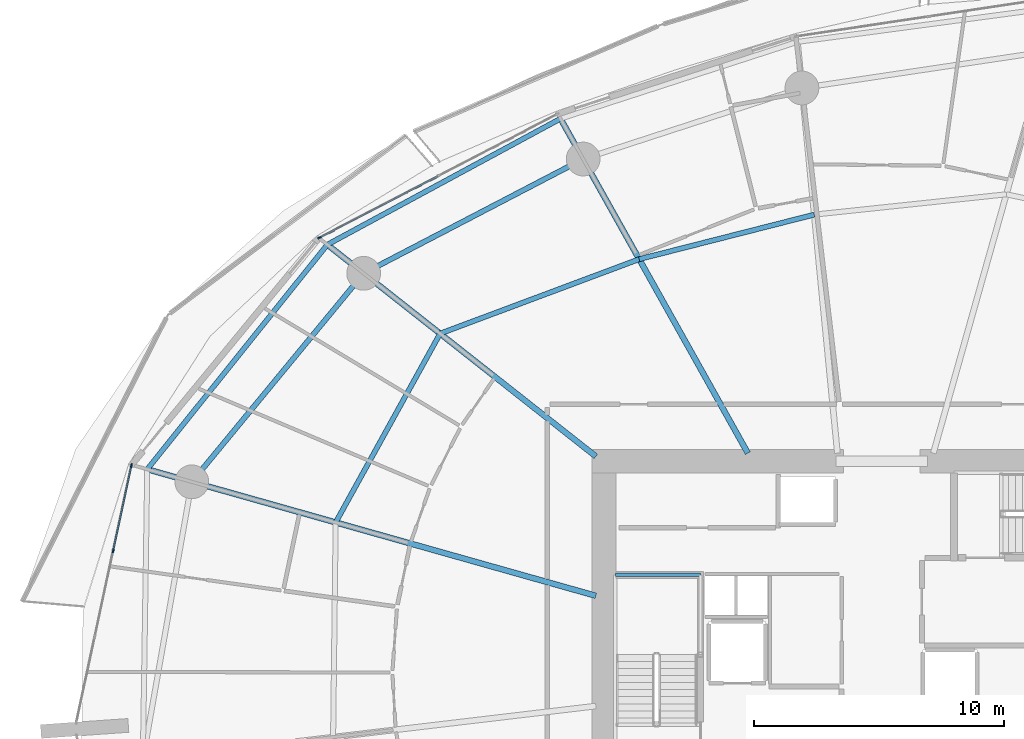
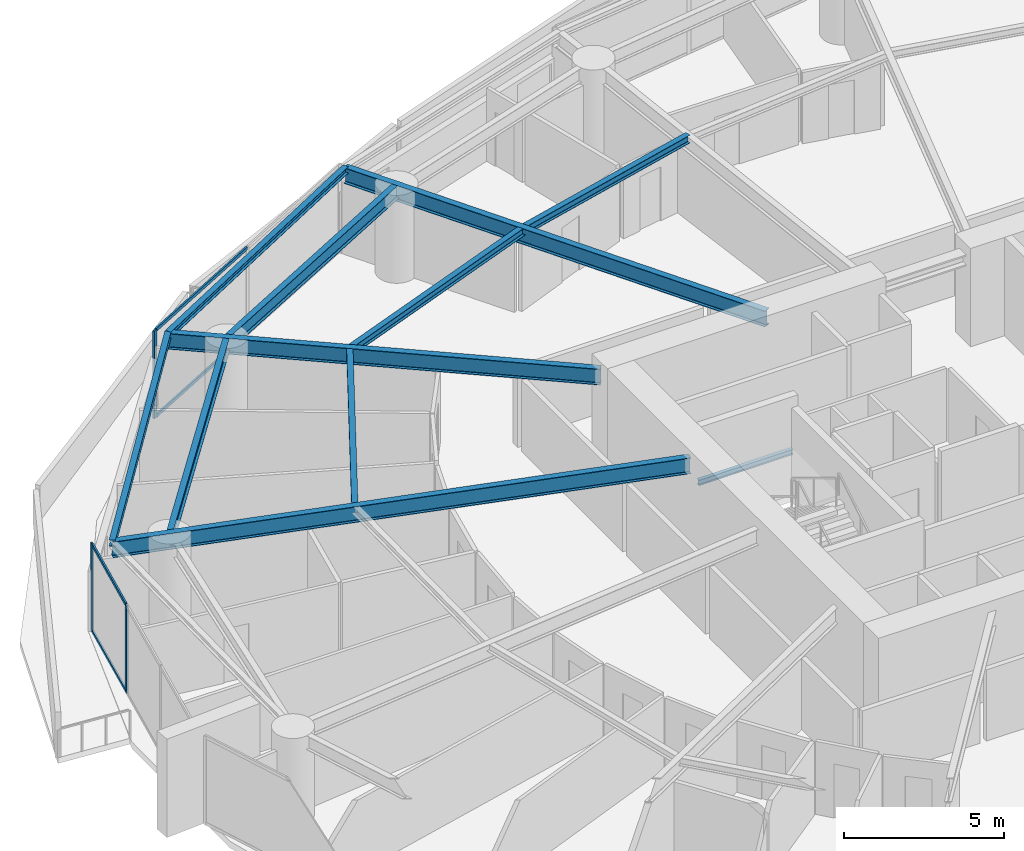
# One storey, part 12 of 31: 11 beams, 7 members, 2 elements without a shape of their own.
"""IFC4 building model written with IfcOpenShell, lengths in metres."""

from ifc_helpers import new_model, si_unit, direction, frame, origin, origin_2d, place, context, subcontext, project, spatial, rectangle, i_section, extrude, material, layer, layer_set, material_profile, profile_set, type_object, element, aggregate, save


model = new_model("IFC4")

# Units and contexts
model_context = context("Model", 3, precision=1e-05, world=origin(), true_north=direction((0.0, 1.0)))
body_context = subcontext(model_context, "Body", "Model", "MODEL_VIEW")
ifc_project = project(units=[si_unit("LENGTHUNIT", "METRE"), si_unit("AREAUNIT", "SQUARE_METRE"), si_unit("VOLUMEUNIT", "CUBIC_METRE"), si_unit("PLANEANGLEUNIT", "RADIAN"), si_unit("MASSUNIT", "GRAM", prefix="KILO")], contexts=[model_context])

# Site, building, storey
site_placement = place(None, origin())
site = spatial("IfcSite", under=ifc_project, at=site_placement, CompositionType="ELEMENT")
building_placement = place(site_placement, origin())
building = spatial("IfcBuilding", under=site, at=building_placement, Name="Kazma Halo Residences", CompositionType="ELEMENT")
storey_placement = place(building_placement, frame((0.0, 0.0, 67.64990234375)))
storey = spatial("IfcBuildingStorey", under=building, at=storey_placement, Name="L16", CompositionType="ELEMENT", Elevation=67.64990234375)

# Beams
ifc_material_1 = material(Name="Steel S355", Category="steel")
ifc_material_profile_1 = material_profile(ifc_material_1, i_section(OverallWidth=0.201904296875, OverallDepth=0.2470703125, WebThickness=0.00732421875, FlangeThickness=0.010986328125, FilletRadius=0.011962890625, at=origin_2d()), Name="W250x49.1")
ifc_profile_set_1 = profile_set([ifc_material_profile_1], Name="Steel S355")
beam_type_1 = type_object("IfcBeamType", Name="BM-BAL-CANT", PredefinedType="BEAM", material=ifc_profile_set_1)
beam_1_placement = place(storey_placement, frame((35.587646484375, 64.163818359375, 3.2265625), z_axis=(-0.879759421466, -0.47541914175, 0.0), x_axis=(0.47541914175, -0.879759421466, 0.0)))
element("IfcBeam", 1, at=beam_1_placement, inside=storey, type_object=beam_type_1, Name="L16 wave-balcony tie beam 05", PredefinedType="BEAM", context=body_context, shape_type="SweptSolid", body=[
    extrude(i_section(OverallWidth=0.201904296875, OverallDepth=0.2470703125, WebThickness=0.00732421875, FlangeThickness=0.010986328125, FilletRadius=0.011962890625, at=origin_2d()), origin(), (0.0, 0.0, 1.0), 10.58935546875),
])
beam_2_placement = place(storey_placement, frame((26.271484375, 59.12939453125, 3.2265625), z_axis=(-0.625476617708, -0.780242911343, 0.0), x_axis=(0.780242911343, -0.625476617708, 0.0)))
element("IfcBeam", 2, at=beam_2_placement, inside=storey, type_object=beam_type_1, Name="L16 wave-balcony tie beam 06", PredefinedType="BEAM", context=body_context, shape_type="SweptSolid", body=[
    extrude(i_section(OverallWidth=0.201904296875, OverallDepth=0.2470703125, WebThickness=0.00732421875, FlangeThickness=0.010986328125, FilletRadius=0.011962890625, at=origin_2d()), origin(), (0.0, 0.0, 1.0), 11.499755859375),
])
ifc_material_profile_2 = material_profile(ifc_material_1, i_section(OverallWidth=0.22802734375, OverallDepth=0.60791015625, WebThickness=0.01123046875, FlangeThickness=0.017333984375, FilletRadius=0.01806640625, at=origin_2d()), Name="W610x113")
ifc_profile_set_2 = profile_set([ifc_material_profile_2], Name="Steel S355")
beam_type_2 = type_object("IfcBeamType", Name="BM-RAD-W610", PredefinedType="BEAM", material=ifc_profile_set_2)
beam_3_placement = place(storey_placement, frame((43.07177734375, 50.800048828125, 3.046142578125), z_axis=(-0.488624239587, 0.872494328055, 0.0), x_axis=(-0.872494328055, -0.488624239587, 0.0)))
element("IfcBeam", 3, at=beam_3_placement, inside=storey, type_object=beam_type_2, Name="L16 radial floor beam 05", PredefinedType="BEAM", context=body_context, shape_type="SweptSolid", body=[
    extrude(i_section(OverallWidth=0.22802734375, OverallDepth=0.60791015625, WebThickness=0.01123046875, FlangeThickness=0.017333984375, FilletRadius=0.01806640625, at=origin_2d()), origin(), (0.0, 0.0, 1.0), 15.316650390625),
])
beam_4_placement = place(storey_placement, frame((37.0, 50.671630859375, 3.046142578125), z_axis=(-0.78531394447, 0.619097737536, 0.0), x_axis=(-0.619097737536, -0.78531394447, 0.0)))
element("IfcBeam", 4, at=beam_4_placement, inside=storey, type_object=beam_type_2, Name="L16 radial floor beam 06", PredefinedType="BEAM", context=body_context, shape_type="SweptSolid", body=[
    extrude(i_section(OverallWidth=0.22802734375, OverallDepth=0.60791015625, WebThickness=0.01123046875, FlangeThickness=0.017333984375, FilletRadius=0.01806640625, at=origin_2d()), origin(), (0.0, 0.0, 1.0), 13.661376953125),
])
beam_5_placement = place(storey_placement, frame((37.0, 45.102294921875, 3.046142578125), z_axis=(-0.962453979784, 0.271444905641, 0.0), x_axis=(-0.271444905641, -0.962453979784, 0.0)))
element("IfcBeam", 5, at=beam_5_placement, inside=storey, type_object=beam_type_2, Name="L16 radial floor beam 07", PredefinedType="BEAM", context=body_context, shape_type="SweptSolid", body=[
    extrude(i_section(OverallWidth=0.22802734375, OverallDepth=0.60791015625, WebThickness=0.01123046875, FlangeThickness=0.017333984375, FilletRadius=0.01806640625, at=origin_2d()), origin(), (0.0, 0.0, 1.0), 18.62060546875),
])
ifc_material_profile_3 = material_profile(ifc_material_1, i_section(OverallWidth=0.202880859375, OverallDepth=0.302978515625, WebThickness=0.007568359375, FlangeThickness=0.01318359375, FilletRadius=0.013916015625, at=origin_2d()), Name="W310x60")
ifc_profile_set_3 = profile_set([ifc_material_profile_3], Name="Steel S355")
beam_type_3 = type_object("IfcBeamType", Name="BM-SEC-W310A", PredefinedType="JOIST", material=ifc_profile_set_3)
beam_6_placement = place(storey_placement, frame((45.7236328125, 60.329833984375, 3.198486328125), z_axis=(-0.969127021388, -0.246561993047, 0.0), x_axis=(0.246561993047, -0.969127021388, 0.0)))
element("IfcBeam", 6, at=beam_6_placement, inside=storey, type_object=beam_type_3, Name="L16 circumferential floor joist 04", PredefinedType="JOIST", context=body_context, shape_type="SweptSolid", body=[
    extrude(i_section(OverallWidth=0.202880859375, OverallDepth=0.302978515625, WebThickness=0.007568359375, FlangeThickness=0.01318359375, FilletRadius=0.013916015625, at=origin_2d()), origin(), (0.0, 0.0, 1.0), 7.21533203125),
])
beam_7_placement = place(storey_placement, frame((38.73095703125, 58.55078125, 3.198486328125), z_axis=(-0.936676104069, -0.350196910417, 0.0), x_axis=(0.350196910417, -0.936676104069, 0.0)))
element("IfcBeam", 7, at=beam_7_placement, inside=storey, type_object=beam_type_3, Name="L16 circumferential floor joist 05", PredefinedType="JOIST", context=body_context, shape_type="SweptSolid", body=[
    extrude(i_section(OverallWidth=0.202880859375, OverallDepth=0.302978515625, WebThickness=0.007568359375, FlangeThickness=0.01318359375, FilletRadius=0.013916015625, at=origin_2d()), origin(), (0.0, 0.0, 1.0), 8.4912109375),
])
beam_8_placement = place(storey_placement, frame((30.77734375, 55.5771484375, 3.198486328125), z_axis=(-0.483953872195, -0.875093509054, 0.0), x_axis=(0.875093509054, -0.483953872195, 0.0)))
element("IfcBeam", 8, at=beam_8_placement, inside=storey, type_object=beam_type_3, Name="L16 circumferential floor joist 06", PredefinedType="JOIST", context=body_context, shape_type="SweptSolid", body=[
    extrude(i_section(OverallWidth=0.202880859375, OverallDepth=0.302978515625, WebThickness=0.007568359375, FlangeThickness=0.01318359375, FilletRadius=0.013916015625, at=origin_2d()), origin(), (0.0, 0.0, 1.0), 8.619873046875),
])
ifc_material_profile_4 = material_profile(ifc_material_1, i_section(OverallWidth=0.208984375, OverallDepth=0.532958984375, WebThickness=0.01025390625, FlangeThickness=0.015625, FilletRadius=0.01611328125, at=origin_2d()), Name="W530x92")
ifc_profile_set_4 = profile_set([ifc_material_profile_4], Name="Steel S355")
beam_type_4 = type_object("IfcBeamType", Name="BM-SPN-W530", PredefinedType="BEAM", material=ifc_profile_set_4)
beam_9_placement = place(storey_placement, frame((36.49169921875, 62.549560546875, 3.08349609375), z_axis=(-0.886956241699, -0.461853467358, 0.0), x_axis=(0.461853467358, -0.886956241699, 0.0)))
element("IfcBeam", 9, at=beam_9_placement, inside=storey, type_object=beam_type_4, Name="L16 perimeter ring beam 05", PredefinedType="BEAM", context=body_context, shape_type="SweptSolid", body=[
    extrude(i_section(OverallWidth=0.208984375, OverallDepth=0.532958984375, WebThickness=0.01025390625, FlangeThickness=0.015625, FilletRadius=0.01611328125, at=origin_2d()), origin(), (0.0, 0.0, 1.0), 9.885009765625),
])
beam_10_placement = place(storey_placement, frame((27.72412109375, 57.984130859375, 3.08349609375), z_axis=(-0.636001336663, -0.771687954916, 0.0), x_axis=(0.771687954916, -0.636001336663, 0.0)))
element("IfcBeam", 10, at=beam_10_placement, inside=storey, type_object=beam_type_4, Name="L16 perimeter ring beam 06", PredefinedType="BEAM", context=body_context, shape_type="SweptSolid", body=[
    extrude(i_section(OverallWidth=0.208984375, OverallDepth=0.532958984375, WebThickness=0.01025390625, FlangeThickness=0.015625, FilletRadius=0.01611328125, at=origin_2d()), origin(), (0.0, 0.0, 1.0), 10.7939453125),
])
ifc_material_profile_5 = material_profile(ifc_material_1, i_section(OverallWidth=0.133056640625, OverallDepth=0.20703125, WebThickness=0.005859375, FlangeThickness=0.00830078125, FilletRadius=0.010009765625, at=origin_2d()), Name="W200x26.6")
ifc_profile_set_5 = profile_set([ifc_material_profile_5], Name="Steel S355")
beam_type_5 = type_object("IfcBeamType", Name="BM-TRIM-W200", PredefinedType="BEAM", material=ifc_profile_set_5)
beam_11_placement = place(storey_placement, frame((37.780029296875, 45.93994140625, 1.570068359375), z_axis=(1.0, 0.0, 0.0), x_axis=(0.0, 1.0, 0.0)))
element("IfcBeam", 11, at=beam_11_placement, inside=storey, type_object=beam_type_5, Name="L16 ST-01 landing end wall ledger", PredefinedType="BEAM", context=body_context, shape_type="SweptSolid", body=[
    extrude(i_section(OverallWidth=0.133056640625, OverallDepth=0.20703125, WebThickness=0.005859375, FlangeThickness=0.00830078125, FilletRadius=0.010009765625, at=origin_2d()), origin(), (0.0, 0.0, 1.0), 3.39990234375),
])

# Curtain wall, member
ifc_material_2 = material(Name="Aluminium AW-6063 T6 and Triple-Silver Low-E Glass", Category="aluminium")
ifc_layer = layer(ifc_material_2, 0.159912109375)
ifc_layer_set = layer_set([ifc_layer], Name="Aluminium AW-6063 T6 and Triple-Silver Low-E Glass")
curtain_wall_type = type_object("IfcCurtainWallType", Name="CW-SYS-2", PredefinedType="NOTDEFINED", material=ifc_layer_set)
curtain_wall_1_placement = place(storey_placement, origin())
curtain_wall_1 = element("IfcCurtainWall", 12, at=curtain_wall_1_placement, inside=storey, type_object=curtain_wall_type, Name="L16 unitised curtain wall B05", PredefinedType="NOTDEFINED")
ifc_material_3 = material(Name="Aluminium AW-6063 T6", Category="aluminium")
ifc_material_profile_6 = material_profile(ifc_material_3, rectangle(XDim=0.06005859375, YDim=0.159912109375, at=origin_2d()), Name="CWM-60x160")
ifc_profile_set_6 = profile_set([ifc_material_profile_6], Name="Aluminium AW-6063 T6")
member_type_1 = type_object("IfcMemberType", Name="CW-SYS-2-MUL", PredefinedType="MULLION", material=ifc_profile_set_6)
member_1_placement = place(storey_placement, frame((25.96142578125, 59.408447265625, 0.0), z_axis=(0.0, 0.0, 1.0), x_axis=(0.460995912628, -0.887402258584, 0.0)))
member_1 = element("IfcMember", 13, at=member_1_placement, type_object=member_type_1, Name="CWS-2 mullion 3", PredefinedType="MULLION", context=body_context, shape_type="SweptSolid", body=[
    extrude(rectangle(XDim=0.06005859375, YDim=0.159912109375, at=origin_2d()), origin(), (0.0, 0.0, 1.0), 3.35009765625),
])

# Curtain wall, members
curtain_wall_2_placement = place(storey_placement, origin())
curtain_wall_2 = element("IfcCurtainWall", 14, at=curtain_wall_2_placement, inside=storey, type_object=curtain_wall_type, Name="L16 unitised curtain wall B07", PredefinedType="NOTDEFINED")
member_2_placement = place(storey_placement, frame((18.447021484375, 50.3037109375, 0.0), z_axis=(0.0, 0.0, 1.0), x_axis=(0.977779215096, -0.209637321406, 0.0)))
member_2 = element("IfcMember", 15, at=member_2_placement, type_object=member_type_1, Name="CWS-2 mullion 1", PredefinedType="MULLION", context=body_context, shape_type="SweptSolid", body=[
    extrude(rectangle(XDim=0.06005859375, YDim=0.159912109375, at=origin_2d()), origin(), (0.0, 0.0, 1.0), 3.35009765625),
])
member_3_placement = place(storey_placement, frame((17.717041015625, 46.898681640625, 0.0), z_axis=(0.0, 0.0, 1.0), x_axis=(0.977779215096, -0.209637321406, 0.0)))
member_3 = element("IfcMember", 16, at=member_3_placement, type_object=member_type_1, Name="CWS-2 mullion 2", PredefinedType="MULLION", context=body_context, shape_type="SweptSolid", body=[
    extrude(rectangle(XDim=0.06005859375, YDim=0.159912109375, at=origin_2d()), origin(), (0.0, 0.0, 1.0), 3.35009765625),
])

# Member
ifc_material_profile_7 = material_profile(ifc_material_3, rectangle(XDim=0.06005859375, YDim=0.1201171875, at=origin_2d()), Name="CWT-60x120")
ifc_profile_set_7 = profile_set([ifc_material_profile_7], Name="Aluminium AW-6063 T6")
member_type_2 = type_object("IfcMemberType", Name="CW-SYS-2-TRN", PredefinedType="USERDEFINED", material=ifc_profile_set_7)
member_4_placement = place(storey_placement, frame((30.681396484375, 61.8603515625, 0.030029296875), z_axis=(-0.887414738583, -0.460971888238, 0.0), x_axis=(0.460971888238, -0.887414738583, 0.0)))
member_4 = element("IfcMember", 17, at=member_4_placement, type_object=member_type_2, Name="CWS-2 transom 2.1", ObjectType="TRANSOM", PredefinedType="USERDEFINED", context=body_context, shape_type="SweptSolid", body=[
    extrude(rectangle(XDim=0.06005859375, YDim=0.1201171875, at=origin_2d()), origin(), (0.0, 0.0, 1.0), 5.288818359375),
])

member_5_placement = place(storey_placement, frame((30.681396484375, 61.8603515625, 3.320068359375), z_axis=(-0.887414738583, -0.460971888238, 0.0), x_axis=(0.460971888238, -0.887414738583, 0.0)))
member_5 = element("IfcMember", 18, at=member_5_placement, type_object=member_type_2, Name="CWS-2 transom 2.2", ObjectType="TRANSOM", PredefinedType="USERDEFINED", context=body_context, shape_type="SweptSolid", body=[
    extrude(rectangle(XDim=0.06005859375, YDim=0.1201171875, at=origin_2d()), origin(), (0.0, 0.0, 1.0), 5.288818359375),
])

aggregate(curtain_wall_1, [member_1, member_4, member_5])

member_6_placement = place(storey_placement, frame((18.440673828125, 50.2744140625, 0.030029296875), z_axis=(-0.209650877007, -0.977776308657, 0.0), x_axis=(0.977776308657, -0.209650877007, 0.0)))
member_6 = element("IfcMember", 19, at=member_6_placement, type_object=member_type_2, Name="CWS-2 transom 1.1", ObjectType="TRANSOM", PredefinedType="USERDEFINED", context=body_context, shape_type="SweptSolid", body=[
    extrude(rectangle(XDim=0.06005859375, YDim=0.1201171875, at=origin_2d()), origin(), (0.0, 0.0, 1.0), 3.422607421875),
])

member_7_placement = place(storey_placement, frame((18.440673828125, 50.2744140625, 3.320068359375), z_axis=(-0.209650877007, -0.977776308657, 0.0), x_axis=(0.977776308657, -0.209650877007, 0.0)))
member_7 = element("IfcMember", 20, at=member_7_placement, type_object=member_type_2, Name="CWS-2 transom 1.2", ObjectType="TRANSOM", PredefinedType="USERDEFINED", context=body_context, shape_type="SweptSolid", body=[
    extrude(rectangle(XDim=0.06005859375, YDim=0.1201171875, at=origin_2d()), origin(), (0.0, 0.0, 1.0), 3.422607421875),
])

aggregate(curtain_wall_2, [member_2, member_3, member_6, member_7])

save(model, "model.ifc")
